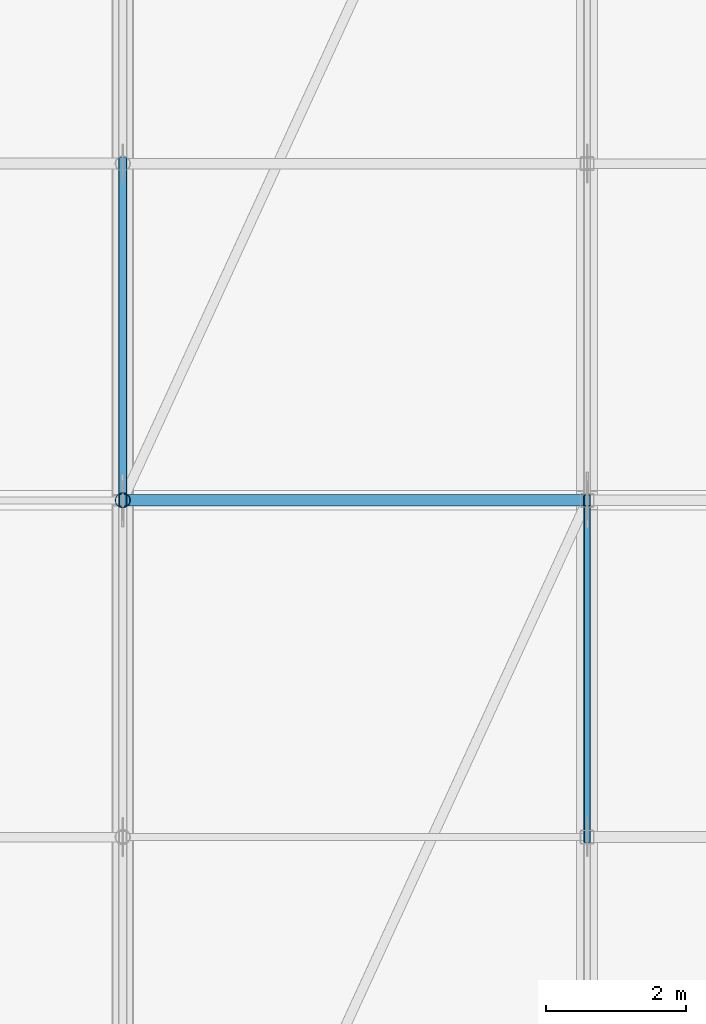
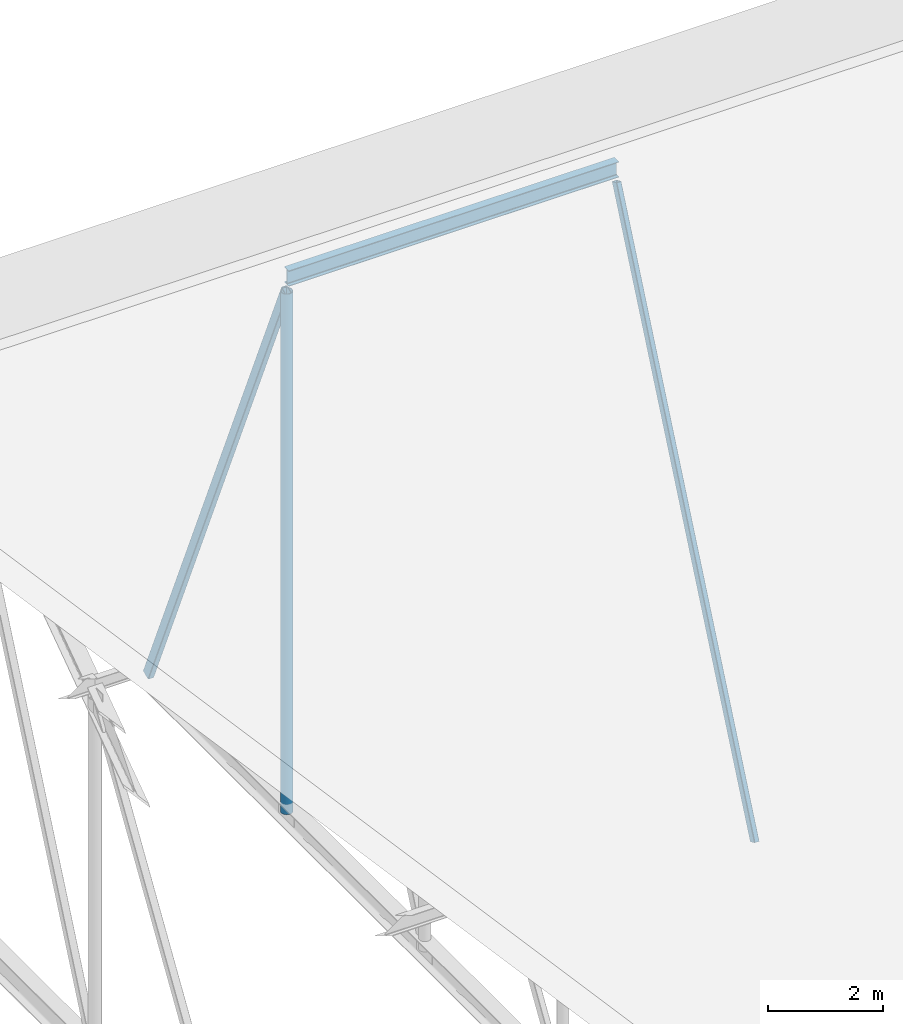
# One storey, part 55 of 134: 4 members.
"""IFC4 building model written with IfcOpenShell, lengths in metres."""

from ifc_helpers import new_model, si_unit, direction, frame, origin, origin_2d, place, context, subcontext, project, spatial, hollow_rectangle, hollow_circle, i_section, extrude, material, material_profile, profile_set, type_object, element, save


model = new_model("IFC4")

# Units and contexts
model_context = context("Model", 3, precision=1e-05, world=origin(), true_north=direction((0.0, 1.0)))
body_context = subcontext(model_context, "Body", "Model", "MODEL_VIEW")
ifc_project = project(units=[si_unit("LENGTHUNIT", "METRE"), si_unit("AREAUNIT", "SQUARE_METRE"), si_unit("VOLUMEUNIT", "CUBIC_METRE"), si_unit("PLANEANGLEUNIT", "RADIAN"), si_unit("MASSUNIT", "GRAM", prefix="KILO")], contexts=[model_context])

# Site, building, storey
site_placement = place(None, origin())
site = spatial("IfcSite", under=ifc_project, at=site_placement, CompositionType="ELEMENT")
building_placement = place(site_placement, origin())
building = spatial("IfcBuilding", under=site, at=building_placement, Name="Asteropetra Specialist Clinic", CompositionType="ELEMENT")
storey_placement = place(building_placement, frame((0.0, 0.0, 8.5)))
storey = spatial("IfcBuildingStorey", under=building, at=storey_placement, Name="L02", CompositionType="ELEMENT", Elevation=8.5)

# Members
ifc_material_1 = material(Name="Steel S355", Category="steel")
ifc_material_profile_1 = material_profile(ifc_material_1, hollow_rectangle(XDim=0.10009765625, YDim=0.179931640625, WallThickness=0.008056640625, InnerFilletRadius=0.008056640625, OuterFilletRadius=0.01611328125, at=origin_2d()), Name="RHS 180x100x8.0")
ifc_profile_set_1 = profile_set([ifc_material_profile_1], Name="Steel S355")
member_type_1 = type_object("IfcMemberType", Name="TR-BRC-RHS180", PredefinedType="BRACE", material=ifc_profile_set_1)
member_1_placement = place(storey_placement, frame((106.760009765625, 86.39990234375, 0.3701171875), z_axis=(0.0, 0.397191262273, 0.917735855883), x_axis=(-1.0, 0.0, 0.0)))
element("IfcMember", 1, at=member_1_placement, inside=storey, type_object=member_type_1, Name="Truss Web Diagonal TRV1-D04-2", PredefinedType="BRACE", context=body_context, shape_type="SweptSolid", body=[
    extrude(hollow_rectangle(XDim=0.10009765625, YDim=0.179931640625, WallThickness=0.008056640625, InnerFilletRadius=0.008056640625, OuterFilletRadius=0.01611328125, at=origin_2d()), origin(), (0.0, 0.0, 1.0), 12.0849609375),
])
ifc_material_2 = material(Name="Steel S355", Category="steel")
ifc_material_profile_2 = material_profile(ifc_material_2, hollow_rectangle(XDim=0.1201171875, YDim=0.199951171875, WallThickness=0.010009765625, InnerFilletRadius=0.008056640625, OuterFilletRadius=0.01611328125, at=origin_2d()), Name="RHS 200x120x10.0")
ifc_profile_set_2 = profile_set([ifc_material_profile_2], Name="Steel S355")
member_type_2 = type_object("IfcMemberType", Name="TR-BRC-RHS200", PredefinedType="BRACE", material=ifc_profile_set_2)
member_2_placement = place(storey_placement, frame((100.139892578125, 91.199951171875, 11.4609375), z_axis=(0.0, 0.398698675406, -0.917081984465), x_axis=(-1.0, 0.0, 0.0)))
element("IfcMember", 2, at=member_2_placement, inside=storey, type_object=member_type_2, Name="Truss Web Diagonal TRV1-D03-3", PredefinedType="BRACE", context=body_context, shape_type="SweptSolid", body=[
    extrude(hollow_rectangle(XDim=0.1201171875, YDim=0.199951171875, WallThickness=0.010009765625, InnerFilletRadius=0.008056640625, OuterFilletRadius=0.01611328125, at=origin_2d()), origin(), (0.0, 0.0, 1.0), 12.039306640625),
])
ifc_material_3 = material(Name="Steel S355", Category="steel")
ifc_material_profile_3 = material_profile(ifc_material_3, i_section(OverallWidth=0.159912109375, OverallDepth=0.330078125, WebThickness=0.007568359375, FlangeThickness=0.011474609375, FilletRadius=0.01806640625, at=origin_2d()), Name="IPE 330")
ifc_profile_set_3 = profile_set([ifc_material_profile_3], Name="Steel S355")
member_type_3 = type_object("IfcMemberType", Name="TR-PUR-IPE330", PredefinedType="PURLIN", material=ifc_profile_set_3)
member_3_placement = place(storey_placement, frame((100.139892578125, 91.199951171875, 11.760986328125), z_axis=(1.0, 0.0, 0.0), x_axis=(0.0, 1.0, 0.0)))
element("IfcMember", 3, at=member_3_placement, inside=storey, type_object=member_type_3, Name="Roof Purlin TRV1-P03-05", PredefinedType="PURLIN", context=body_context, shape_type="SweptSolid", body=[
    extrude(i_section(OverallWidth=0.159912109375, OverallDepth=0.330078125, WebThickness=0.007568359375, FlangeThickness=0.011474609375, FilletRadius=0.01806640625, at=origin_2d()), origin(), (0.0, 0.0, 1.0), 6.6201171875),
])
ifc_material_4 = material(Name="Steel S355", Category="steel")
ifc_material_profile_4 = material_profile(ifc_material_4, hollow_circle(Radius=0.109619140625, WallThickness=0.010009765625, at=origin_2d()), Name="CHS 219.1x10.0")
ifc_profile_set_4 = profile_set([ifc_material_profile_4], Name="Steel S355")
member_type_4 = type_object("IfcMemberType", Name="TR-STR-CHS219", PredefinedType="STRUT", material=ifc_profile_set_4)
member_4_placement = place(storey_placement, frame((100.139892578125, 91.199951171875, 0.419921875), z_axis=(0.0, 0.0, 1.0), x_axis=(1.0, 0.0, 0.0)))
element("IfcMember", 4, at=member_4_placement, inside=storey, type_object=member_type_4, Name="Truss Web Strut TRV1-V03-3", PredefinedType="STRUT", context=body_context, shape_type="SweptSolid", body=[
    extrude(hollow_circle(Radius=0.109619140625, WallThickness=0.010009765625, at=origin_2d()), origin(), (0.0, 0.0, 1.0), 11.041015625),
])

save(model, "model.ifc")
